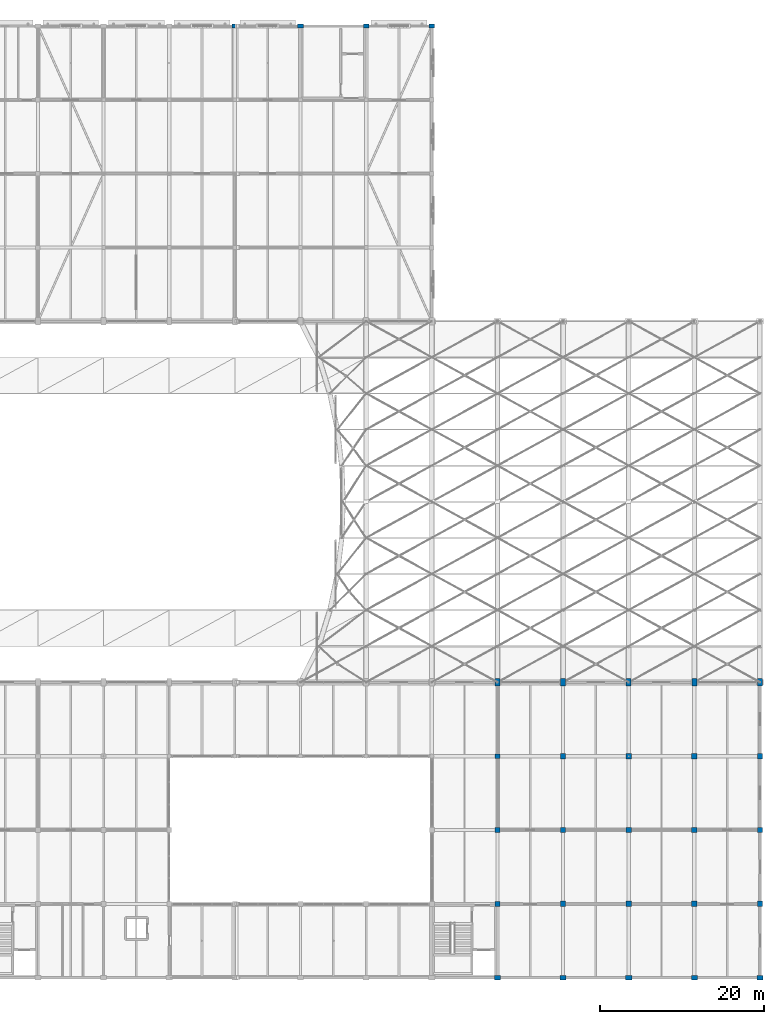
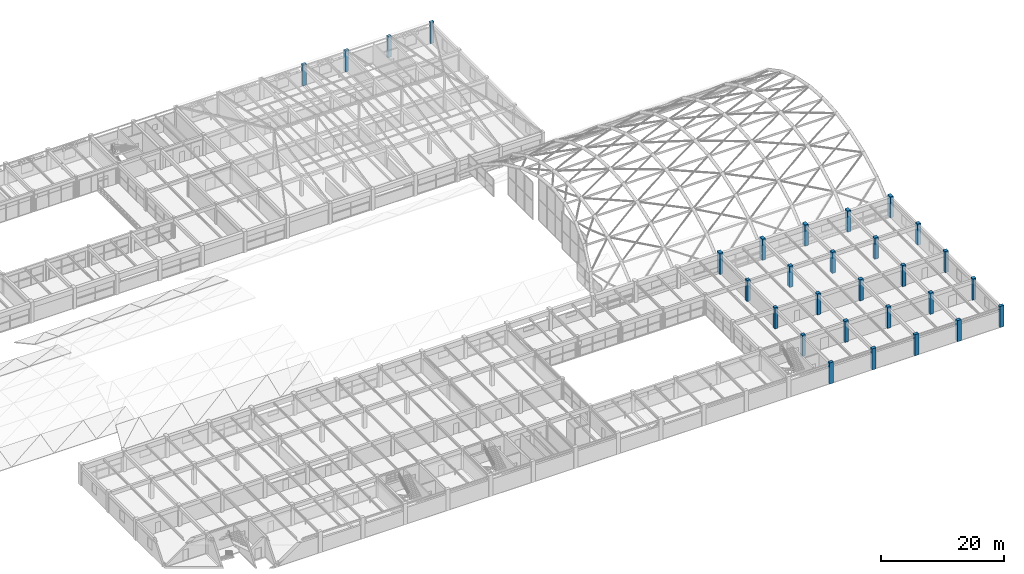
# One storey, part 6 of 126: 29 columns.
"""IFC4 building model written with IfcOpenShell, lengths in metres."""

import ifcopenshell
import ifcopenshell.guid

model = None  # the IFC model being written
_history = None  # IfcOwnerHistory: only IFC2X3 demands one
_inside = {}  # id of a spatial element -> (the spatial element, [elements in it])
_under = {}  # id of a project, library or spatial element -> (it, [spatial elements below it])
_declared = {}  # id of a project -> (the project, [libraries it declares])
_typed = {}  # id of a type object -> (the type object, [elements of that type])
_made_of = {}  # id of a material, layer set ... -> (it, [elements and type objects made of it])


def new_model(schema):
    """Start an empty IFC model of exactly this schema.

    Asked for "IFC4X3", IfcOpenShell would pick the latest addendum, in which some entities
    have other attributes; the version numbers below select the first issue.
    IFC2X3 requires an IfcOwnerHistory on every rooted entity: one is made here for all.
    """
    global model, _history
    if schema == "IFC4X3":
        model = ifcopenshell.file(schema_version=(4, 3, 0, 0))
    else:
        model = ifcopenshell.file(schema=schema)
    _inside.clear()
    _under.clear()
    _declared.clear()
    _typed.clear()
    _made_of.clear()
    _history = None
    if model.schema == "IFC2X3":
        org = make("IfcOrganization", Name="unknown")
        user = make(
            "IfcPersonAndOrganization",
            ThePerson=make("IfcPerson", FamilyName="unknown"),
            TheOrganization=org,
        )
        app = make(
            "IfcApplication",
            ApplicationDeveloper=org,
            Version="unknown",
            ApplicationFullName="unknown",
            ApplicationIdentifier="unknown",
        )
        _history = make(
            "IfcOwnerHistory",
            OwningUser=user,
            OwningApplication=app,
            ChangeAction="ADDED",
            CreationDate=0,
        )
    return model


def make(cls, **values):
    """One entity of the class cls with the attributes given. An attribute that is None is left unset."""
    return model.create_entity(
        cls, **{name: value for name, value in values.items() if value is not None}
    )


def rooted(cls, **values):
    """An entity with a GlobalId (a new one), such as an element, a storey or a relation."""
    return make(cls, GlobalId=ifcopenshell.guid.new(), OwnerHistory=_history, **values)


def si_unit(unit_type, name, prefix=None):
    """IfcSIUnit, for example si_unit("LENGTHUNIT", "METRE", prefix="MILLI")."""
    return make("IfcSIUnit", UnitType=unit_type, Prefix=prefix, Name=name)


def assignment(units):
    """IfcUnitAssignment: the units of a project."""
    return None if units is None else make("IfcUnitAssignment", Units=units)


def point(xyz):
    """IfcCartesianPoint."""
    return None if xyz is None else make("IfcCartesianPoint", Coordinates=xyz)


def direction(xyz):
    """IfcDirection."""
    return None if xyz is None else make("IfcDirection", DirectionRatios=xyz)


def frame(location, z_axis=None, x_axis=None):
    """IfcAxis2Placement3D, a coordinate frame: its origin and axes. An axis left out is left unset."""
    return make(
        "IfcAxis2Placement3D",
        Location=point(location),
        Axis=direction(z_axis),
        RefDirection=direction(x_axis),
    )


def frame_2d(location, x_axis=None):
    """IfcAxis2Placement2D, a coordinate frame in the plane: its origin and x axis."""
    return make(
        "IfcAxis2Placement2D", Location=point(location), RefDirection=direction(x_axis)
    )


def origin():
    """The frame at (0, 0, 0) with its axes left unset."""
    return frame((0.0, 0.0, 0.0))


def origin_2d():
    """The frame at (0, 0) in the plane with its x axis left unset."""
    return frame_2d((0.0, 0.0))


def place(relative_to, where):
    """IfcLocalPlacement: puts the frame where relative to a parent placement (None: the world)."""
    return make(
        "IfcLocalPlacement", PlacementRelTo=relative_to, RelativePlacement=where
    )


def context(
    kind, dimensions, precision=None, world=None, true_north=None, identifier=None
):
    """IfcGeometricRepresentationContext, for example the 3D "Model" context."""
    return make(
        "IfcGeometricRepresentationContext",
        ContextIdentifier=identifier,
        ContextType=kind,
        CoordinateSpaceDimension=dimensions,
        Precision=precision,
        WorldCoordinateSystem=world,
        TrueNorth=true_north,
    )


def subcontext(parent, identifier, kind, view, scale=None):
    """IfcGeometricRepresentationSubContext, for example "Body" below "Model"."""
    return make(
        "IfcGeometricRepresentationSubContext",
        ContextIdentifier=identifier,
        ContextType=kind,
        ParentContext=parent,
        TargetScale=scale,
        TargetView=view,
    )


def project(units=None, contexts=None):
    """IfcProject with its units and contexts."""
    return rooted(
        "IfcProject",
        Name="project",
        RepresentationContexts=contexts,
        UnitsInContext=assignment(units),
    )


def spatial(cls, under=None, at=None, **own):
    """A site, building, storey or space (cls), placed at a placement, below another one or the project."""
    s = rooted(cls, ObjectPlacement=at, **own)
    if under is not None:
        _under.setdefault(under.id(), (under, []))[1].append(s)
    return s


def profile(cls, at=None, kind="AREA", **sizes):
    """A parametric profile (cls). Its sizes go by their IFC names, for example OverallWidth=200.0."""
    return make(cls, ProfileType=kind, Position=at, **sizes)


def rectangle(**sizes):
    """IfcRectangleProfileDef."""
    return profile("IfcRectangleProfileDef", **sizes)


def extrude(swept, where, along, depth):
    """IfcExtrudedAreaSolid: the profile swept, set in the frame where, extruded along a direction by depth."""
    return make(
        "IfcExtrudedAreaSolid",
        SweptArea=swept,
        Position=where,
        ExtrudedDirection=direction(along),
        Depth=depth,
    )


def shape(context_of_items, identifier, shape_type, items):
    """IfcShapeRepresentation: the items that make up one representation, for example the "Body"."""
    return make(
        "IfcShapeRepresentation",
        ContextOfItems=context_of_items,
        RepresentationIdentifier=identifier,
        RepresentationType=shape_type,
        Items=items,
    )


def material(Name=None, Category=None):
    """IfcMaterial."""
    return make("IfcMaterial", Name=Name, Category=Category)


def material_profile(
    of_material, cross_section, Name=None, Category=None, Priority=None
):
    """IfcMaterialProfile: a cross section and its material."""
    return make(
        "IfcMaterialProfile",
        Name=Name,
        Material=of_material,
        Profile=cross_section,
        Priority=Priority,
        Category=Category,
    )


def profile_set(profiles, Name=None, composite=None):
    """IfcMaterialProfileSet."""
    return make(
        "IfcMaterialProfileSet",
        Name=Name,
        MaterialProfiles=profiles,
        CompositeProfile=composite,
    )


def made_of(thing, what):
    """Note that an element or type object is made of a material, layer set ...; save() writes the relation."""
    if what is not None:
        _made_of.setdefault(what.id(), (what, []))[1].append(thing)
    return thing


def type_object(cls, material=None, **own):
    """A type object (cls), such as IfcWallType, which elements share."""
    return made_of(rooted(cls, **own), material)


def element(
    cls,
    number,
    at=None,
    inside=None,
    cuts=None,
    type_object=None,
    material=None,
    context=None,
    identifier="Body",
    shape_type=None,
    held_by="IfcProductDefinitionShape",
    body=None,
    shapes=None,
    **own,
):
    """One element of the class cls, such as IfcWall. Its Tag is "e" and its number.

    at: its placement. inside: the storey or other place that contains it. cuts: it is an
    opening in that element (IfcRelVoidsElement). A single representation is given by context,
    identifier, shape_type and body (its items); several are given by shapes. held_by: the class
    of the entity that holds the representations. save() writes the other relations.
    """
    e = rooted(cls, Tag="e%d" % number, ObjectPlacement=at, **own)
    if body is not None:
        shapes = [shape(context, identifier, shape_type, body)]
    if shapes is not None:
        e.Representation = make(held_by, Representations=shapes)
    if inside is not None:
        _inside.setdefault(inside.id(), (inside, []))[1].append(e)
    if cuts is not None:
        rooted(
            "IfcRelVoidsElement", RelatingBuildingElement=cuts, RelatedOpeningElement=e
        )
    if type_object is not None:
        _typed.setdefault(type_object.id(), (type_object, []))[1].append(e)
    return made_of(e, material)


def aggregate(whole, parts):
    """IfcRelAggregates: a whole, such as a stair, and the parts it consists of."""
    return rooted("IfcRelAggregates", RelatingObject=whole, RelatedObjects=parts)


def save(model, path):
    """Write the relations noted so far, then the file.

    IfcRelAggregates (storeys below a building ...), IfcRelContainedInSpatialStructure (elements
    in a storey), IfcRelDefinesByType, IfcRelAssociatesMaterial and IfcRelDeclares: one each for
    every whole, place, type object, material and project.
    """
    for whole, parts in _under.values():
        aggregate(whole, parts)
    for where, things in _inside.values():
        rooted(
            "IfcRelContainedInSpatialStructure",
            RelatedElements=things,
            RelatingStructure=where,
        )
    for kind, things in _typed.values():
        rooted("IfcRelDefinesByType", RelatedObjects=things, RelatingType=kind)
    for what, things in _made_of.values():
        rooted("IfcRelAssociatesMaterial", RelatedObjects=things, RelatingMaterial=what)
    for by, libraries in _declared.values():
        rooted("IfcRelDeclares", RelatingContext=by, RelatedDefinitions=libraries)
    model.write(path)


model = new_model("IFC4")

# Units and contexts
model_context = context("Model", 3, precision=1e-05, world=origin(), true_north=direction((0.0, 1.0)))
body_context = subcontext(model_context, "Body", "Model", "MODEL_VIEW")
ifc_project = project(units=[si_unit("LENGTHUNIT", "METRE"), si_unit("AREAUNIT", "SQUARE_METRE"), si_unit("VOLUMEUNIT", "CUBIC_METRE"), si_unit("PLANEANGLEUNIT", "RADIAN"), si_unit("MASSUNIT", "GRAM", prefix="KILO")], contexts=[model_context])

# Site, building, storey
site_placement = place(None, origin())
site = spatial("IfcSite", under=ifc_project, at=site_placement, CompositionType="ELEMENT")
building_placement = place(site_placement, origin())
building = spatial("IfcBuilding", under=site, at=building_placement, Name="Varnabhumi Central Station", CompositionType="ELEMENT")
storey_placement = place(building_placement, frame((0.0, 0.0, 16.199951171875)))
storey = spatial("IfcBuildingStorey", under=building, at=storey_placement, Name="L03", CompositionType="ELEMENT", Elevation=16.199951171875)

# Columns
ifc_material = material(Name="Concrete M40", Category="concrete")
ifc_material_profile_1 = material_profile(ifc_material, rectangle(XDim=0.64990234375, YDim=0.64990234375, at=origin_2d()), Name="Concrete M40", Category="concrete")
ifc_profile_set_1 = profile_set([ifc_material_profile_1], Name="Concrete M40")
column_type_1 = type_object("IfcColumnType", Name="COL-RC-650", PredefinedType="COLUMN", material=ifc_profile_set_1)
for number, where, z_axis, x_axis, name in (
    (1, (160.0, 9.0, 0.0), (0.0, 0.0, 1.0), (1.0, 0.0, 0.0), "Column L03-21B"),
    (2, (160.0, 18.0, 0.0), (0.0, 0.0, 1.0), (1.0, 0.0, 0.0), "Column L03-21C"),
    (3, (160.0, 27.0, 0.0), (0.0, 0.0, 1.0), (1.0, 0.0, 0.0), "Column L03-21D"),
    (4, (168.0, 9.0, 0.0), (0.0, 0.0, 1.0), (1.0, 0.0, 0.0), "Column L03-22B"),
    (5, (168.0, 18.0, 0.0), (0.0, 0.0, 1.0), (1.0, 0.0, 0.0), "Column L03-22C"),
    (6, (168.0, 27.0, 0.0), (0.0, 0.0, 1.0), (1.0, 0.0, 0.0), "Column L03-22D"),
    (7, (176.0, 9.0, 0.0), (0.0, 0.0, 1.0), (1.0, 0.0, 0.0), "Column L03-23B"),
    (8, (176.0, 18.0, 0.0), (0.0, 0.0, 1.0), (1.0, 0.0, 0.0), "Column L03-23C"),
    (9, (176.0, 27.0, 0.0), (0.0, 0.0, 1.0), (1.0, 0.0, 0.0), "Column L03-23D"),
    (10, (184.0, 9.0, 0.0), (0.0, 0.0, 1.0), (1.0, 0.0, 0.0), "Column L03-24B"),
    (11, (184.0, 18.0, 0.0), (0.0, 0.0, 1.0), (1.0, 0.0, 0.0), "Column L03-24C"),
    (12, (184.0, 27.0, 0.0), (0.0, 0.0, 1.0), (1.0, 0.0, 0.0), "Column L03-24D"),
):
    element("IfcColumn", number, at=place(storey_placement, frame(where, z_axis=z_axis, x_axis=x_axis)), inside=storey, type_object=column_type_1, Name=name, PredefinedType="COLUMN", context=body_context, shape_type="SweptSolid", body=[
        extrude(rectangle(XDim=0.64990234375, YDim=0.64990234375, at=origin_2d()), origin(), (0.0, 0.0, 1.0), 4.199951171875),
    ])
ifc_material_profile_2 = material_profile(ifc_material, rectangle(XDim=0.699951171875, YDim=0.5, at=origin_2d()), Name="Concrete M40", Category="concrete")
ifc_profile_set_2 = profile_set([ifc_material_profile_2], Name="Concrete M40")
column_type_2 = type_object("IfcColumnType", Name="COL-RC-700x500", PredefinedType="PILASTER", material=ifc_profile_set_2)
for number, where, z_axis, x_axis, name in (
    (13, (120.0, 116.0, 0.0), (0.0, 0.0, 1.0), (1.0, 0.0, 0.0), "Column L03-16P"),
    (14, (128.0, 116.0, 0.0), (0.0, 0.0, 1.0), (1.0, 0.0, 0.0), "Column L03-17P"),
    (15, (136.0, 116.0, 0.0), (0.0, 0.0, 1.0), (1.0, 0.0, 0.0), "Column L03-18P"),
    (16, (144.0, 116.0, 0.0), (0.0, 0.0, 1.0), (1.0, 0.0, 0.0), "Column L03-19P"),
):
    element("IfcColumn", number, at=place(storey_placement, frame(where, z_axis=z_axis, x_axis=x_axis)), inside=storey, type_object=column_type_2, Name=name, PredefinedType="PILASTER", context=body_context, shape_type="SweptSolid", body=[
        extrude(rectangle(XDim=0.699951171875, YDim=0.5, at=origin_2d()), origin(), (0.0, 0.0, 1.0), 4.199951171875),
    ])
ifc_material_profile_3 = material_profile(ifc_material, rectangle(XDim=0.75, YDim=0.550048828125, at=origin_2d()), Name="Concrete M40", Category="concrete")
ifc_profile_set_3 = profile_set([ifc_material_profile_3], Name="Concrete M40")
column_type_3 = type_object("IfcColumnType", Name="COL-RC-750x550", PredefinedType="PILASTER", material=ifc_profile_set_3)
for number, where, z_axis, x_axis, name in (
    (17, (152.0, 0.0, 0.0), (0.0, 0.0, 1.0), (1.0, 0.0, 0.0), "Column L03-20A"),
    (18, (160.0, 0.0, 0.0), (0.0, 0.0, 1.0), (1.0, 0.0, 0.0), "Column L03-21A"),
    (19, (168.0, 0.0, 0.0), (0.0, 0.0, 1.0), (1.0, 0.0, 0.0), "Column L03-22A"),
    (20, (176.0, 0.0, 0.0), (0.0, 0.0, 1.0), (1.0, 0.0, 0.0), "Column L03-23A"),
    (21, (184.0, 0.0, 0.0), (0.0, 0.0, 1.0), (1.0, 0.0, 0.0), "Column L03-24A"),
):
    element("IfcColumn", number, at=place(storey_placement, frame(where, z_axis=z_axis, x_axis=x_axis)), inside=storey, type_object=column_type_3, Name=name, PredefinedType="PILASTER", context=body_context, shape_type="SweptSolid", body=[
        extrude(rectangle(XDim=0.75, YDim=0.550048828125, at=origin_2d()), origin(), (0.0, 0.0, 1.0), 4.199951171875),
    ])
ifc_material_profile_4 = material_profile(ifc_material, rectangle(XDim=0.60009765625, YDim=0.60009765625, at=origin_2d()), Name="Concrete M40", Category="concrete")
ifc_profile_set_4 = profile_set([ifc_material_profile_4], Name="Concrete M40")
column_type_4 = type_object("IfcColumnType", Name="COL-SOUTH-600", PredefinedType="COLUMN", material=ifc_profile_set_4)
for number, where, z_axis, x_axis, name in (
    (22, (152.0, 9.0, 0.0), (0.0, 0.0, 1.0), (1.0, 0.0, 0.0), "Column L03-20B"),
    (23, (152.0, 18.0, 0.0), (0.0, 0.0, 1.0), (1.0, 0.0, 0.0), "Column L03-20C"),
    (24, (152.0, 27.0, 0.0), (0.0, 0.0, 1.0), (1.0, 0.0, 0.0), "Column L03-20D"),
):
    element("IfcColumn", number, at=place(storey_placement, frame(where, z_axis=z_axis, x_axis=x_axis)), inside=storey, type_object=column_type_4, Name=name, PredefinedType="COLUMN", context=body_context, shape_type="SweptSolid", body=[
        extrude(rectangle(XDim=0.60009765625, YDim=0.60009765625, at=origin_2d()), origin(), (0.0, 0.0, 1.0), 4.199951171875),
    ])
ifc_material_profile_5 = material_profile(ifc_material, rectangle(XDim=0.60009765625, YDim=0.89990234375, at=origin_2d()), Name="Concrete M40", Category="concrete")
ifc_profile_set_5 = profile_set([ifc_material_profile_5], Name="Concrete M40")
column_type_5 = type_object("IfcColumnType", Name="COL-SPINE-M40-900x600", PredefinedType="COLUMN", material=ifc_profile_set_5)
for number, where, z_axis, x_axis, name in (
    (25, (152.0, 36.0, 0.0), (0.0, 0.0, 1.0), (1.0, 0.0, 0.0), "Column L03-20E"),
    (26, (160.0, 36.0, 0.0), (0.0, 0.0, 1.0), (1.0, 0.0, 0.0), "Column L03-21E"),
    (27, (168.0, 36.0, 0.0), (0.0, 0.0, 1.0), (1.0, 0.0, 0.0), "Column L03-22E"),
    (28, (176.0, 36.0, 0.0), (0.0, 0.0, 1.0), (1.0, 0.0, 0.0), "Column L03-23E"),
    (29, (184.0, 36.0, 0.0), (0.0, 0.0, 1.0), (1.0, 0.0, 0.0), "Column L03-24E"),
):
    element("IfcColumn", number, at=place(storey_placement, frame(where, z_axis=z_axis, x_axis=x_axis)), inside=storey, type_object=column_type_5, Name=name, PredefinedType="COLUMN", context=body_context, shape_type="SweptSolid", body=[
        extrude(rectangle(XDim=0.60009765625, YDim=0.89990234375, at=origin_2d()), origin(), (0.0, 0.0, 1.0), 4.199951171875),
    ])

save(model, "model.ifc")
